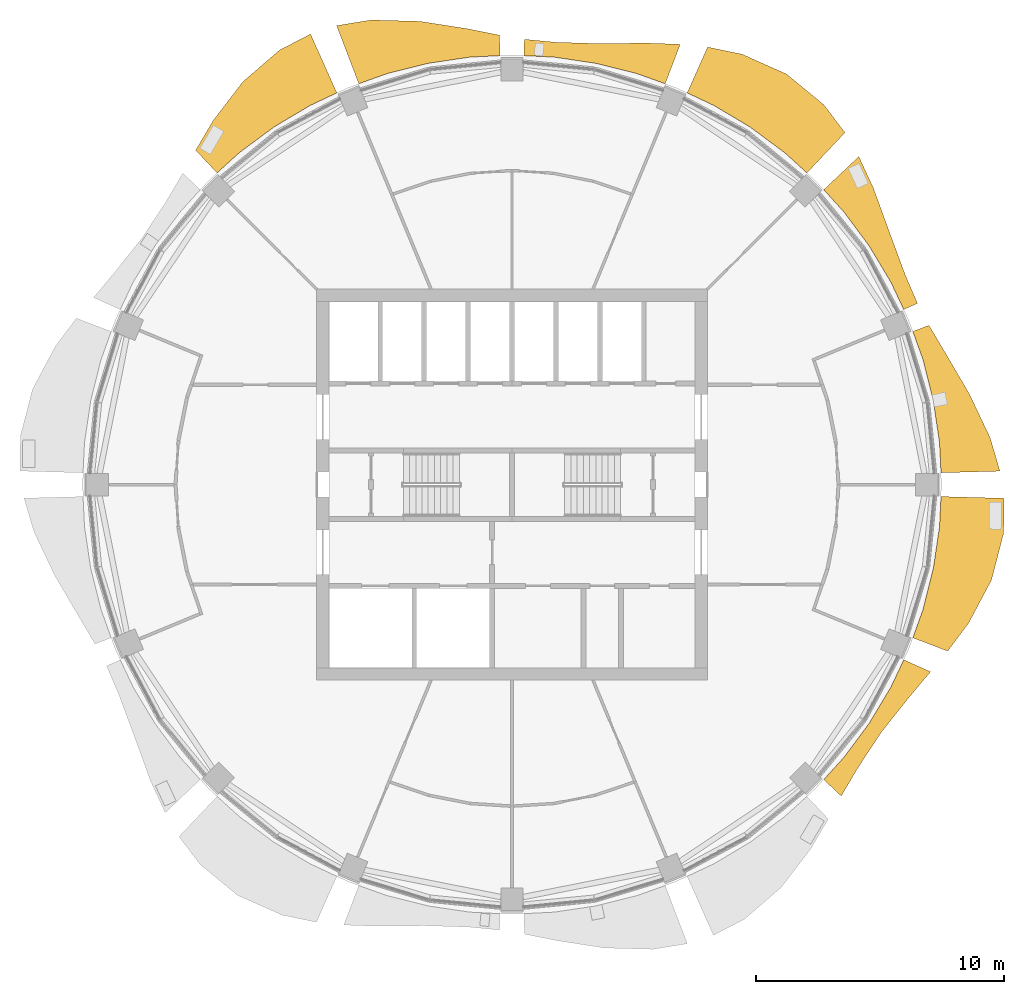
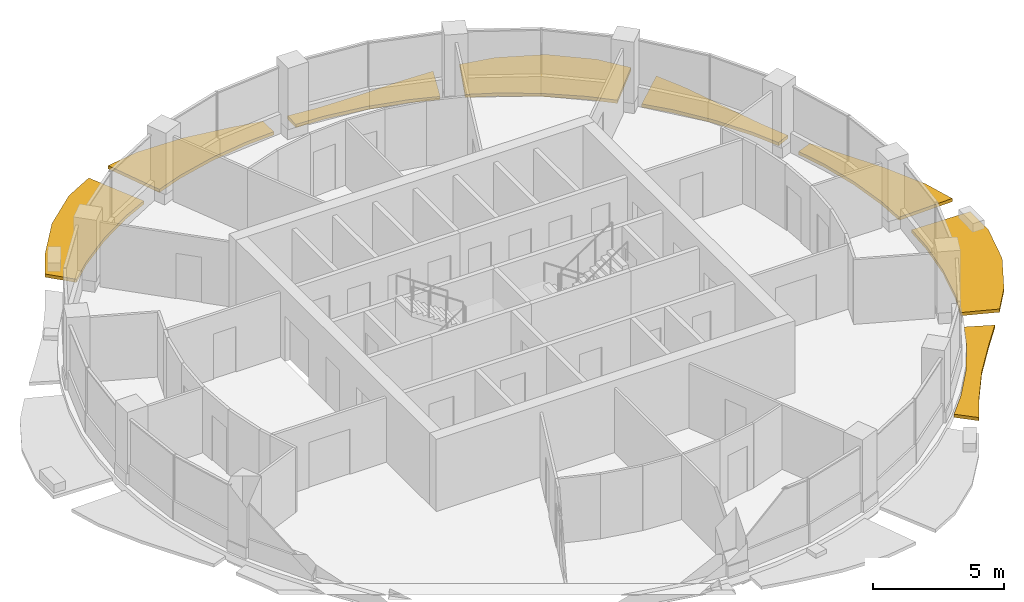
# One storey, part 14 of 15: 8 shading devices.
"""IFC4 building model written with IfcOpenShell, lengths in metres."""

from ifc_helpers import new_model, si_unit, direction, frame, origin, place, context, subcontext, project, spatial, polyline, outline, extrude, material, type_object, element, save


model = new_model("IFC4")

# Units and contexts
model_context = context("Model", 3, precision=1e-05, world=origin(), true_north=direction((0.0, 1.0)))
body_context = subcontext(model_context, "Body", "Model", "MODEL_VIEW")
ifc_project = project(units=[si_unit("LENGTHUNIT", "METRE"), si_unit("AREAUNIT", "SQUARE_METRE"), si_unit("VOLUMEUNIT", "CUBIC_METRE"), si_unit("PLANEANGLEUNIT", "RADIAN"), si_unit("MASSUNIT", "GRAM", prefix="KILO")], contexts=[model_context])

# Site, building, storey
site_placement = place(None, origin())
site = spatial("IfcSite", under=ifc_project, at=site_placement, CompositionType="ELEMENT")
building_placement = place(site_placement, origin())
building = spatial("IfcBuilding", under=site, at=building_placement, Name="Polderwave Tower", CompositionType="ELEMENT")
storey_placement = place(building_placement, frame((0.0, 0.0, 197.699951171875)))
storey = spatial("IfcBuildingStorey", under=building, at=storey_placement, Name="L53", CompositionType="ELEMENT", Elevation=197.699951171875)

# Shading devices
ifc_material = material(Name="Terracotta", Category="masonry")
shading_device_type = type_object("IfcShadingDeviceType", Name="Terracotta sunshade band", PredefinedType="USERDEFINED", material=ifc_material)
shading_device_1_placement = place(storey_placement, frame((0.0, 0.0, -0.349853515625)))
element("IfcShadingDevice", 1, at=shading_device_1_placement, inside=storey, type_object=shading_device_type, Name="Sunshade band L53 1", ObjectType="SUNSHADE", PredefinedType="USERDEFINED", context=body_context, shape_type="SweptSolid", body=[
    extrude(outline(polyline([(17.276611328125, 0.478515625), (17.216796875, 1.69580078125), (16.967529296875, 3.375), (16.55517578125, 5.02197265625), (16.14453125, 6.16943359375), (16.79150390625, 6.416748046875), (17.45947265625, 5.29638671875), (18.41455078125, 3.662841796875), (19.25439453125, 1.896484375), (19.650634765625, 0.544189453125), (17.276611328125, 0.478515625)])), origin(), (0.0, 0.0, 1.0), 0.14990234375),
])
shading_device_2_placement = place(storey_placement, frame((0.0, 0.0, -0.349853515625)))
element("IfcShadingDevice", 2, at=shading_device_2_placement, inside=storey, type_object=shading_device_type, Name="Sunshade band L53 2", ObjectType="SUNSHADE", PredefinedType="USERDEFINED", context=body_context, shape_type="SweptSolid", body=[
    extrude(outline(polyline([(15.7783203125, 7.053466796875), (15.257080078125, 8.1552734375), (14.384521484375, 9.611328125), (13.373046875, 10.97509765625), (12.5546875, 11.8779296875), (13.967041015625, 13.21435546875), (14.5546875, 11.94482421875), (15.204833984375, 10.159423828125), (15.83154296875, 8.462158203125), (16.330810546875, 7.30029296875), (15.7783203125, 7.053466796875)])), origin(), (0.0, 0.0, 1.0), 0.14990234375),
])
shading_device_3_placement = place(storey_placement, frame((0.0, 0.0, -0.349853515625)))
element("IfcShadingDevice", 3, at=shading_device_3_placement, inside=storey, type_object=shading_device_type, Name="Sunshade band L53 3", ObjectType="SUNSHADE", PredefinedType="USERDEFINED", context=body_context, shape_type="SweptSolid", body=[
    extrude(outline(polyline([(11.8779296875, 12.5546875), (10.97509765625, 13.373046875), (9.611328125, 14.384521484375), (8.1552734375, 15.257080078125), (7.053466796875, 15.7783203125), (7.8779296875, 17.622802734375), (9.265625, 17.334716796875), (11.051513671875, 16.539794921875), (12.557373046875, 15.30126953125), (13.411865234375, 14.17578125), (11.8779296875, 12.5546875)])), origin(), (0.0, 0.0, 1.0), 0.14990234375),
])
shading_device_4_placement = place(storey_placement, frame((0.0, 0.0, -0.349853515625)))
element("IfcShadingDevice", 4, at=shading_device_4_placement, inside=storey, type_object=shading_device_type, Name="Sunshade band L53 4", ObjectType="SUNSHADE", PredefinedType="USERDEFINED", context=body_context, shape_type="SweptSolid", body=[
    extrude(outline(polyline([(6.16943359375, 16.14453125), (5.02197265625, 16.55517578125), (3.375, 16.967529296875), (1.69580078125, 17.216796875), (0.478515625, 17.276611328125), (0.49658203125, 17.9375), (1.7548828125, 17.81640625), (3.533203125, 17.76220703125), (5.394775390625, 17.783935546875), (6.776611328125, 17.73388671875), (6.16943359375, 16.14453125)])), origin(), (0.0, 0.0, 1.0), 0.14990234375),
])
shading_device_5_placement = place(storey_placement, frame((0.0, 0.0, -0.349853515625)))
element("IfcShadingDevice", 5, at=shading_device_5_placement, inside=storey, type_object=shading_device_type, Name="Sunshade band L53 5", ObjectType="SUNSHADE", PredefinedType="USERDEFINED", context=body_context, shape_type="SweptSolid", body=[
    extrude(outline(polyline([(-0.478515625, 17.276611328125), (-1.69580078125, 17.216796875), (-3.375, 16.967529296875), (-5.02197265625, 16.55517578125), (-6.16943359375, 16.14453125), (-7.064453125, 18.48681640625), (-5.676513671875, 18.712890625), (-3.71142578125, 18.6591796875), (-1.80859375, 18.363525390625), (-0.501220703125, 18.10107421875), (-0.478515625, 17.276611328125)])), origin(), (0.0, 0.0, 1.0), 0.14990234375),
])
shading_device_6_placement = place(storey_placement, frame((0.0, 0.0, -0.349853515625)))
element("IfcShadingDevice", 6, at=shading_device_6_placement, inside=storey, type_object=shading_device_type, Name="Sunshade band L53 6", ObjectType="SUNSHADE", PredefinedType="USERDEFINED", context=body_context, shape_type="SweptSolid", body=[
    extrude(outline(polyline([(-7.053466796875, 15.7783203125), (-8.1552734375, 15.257080078125), (-9.611328125, 14.384521484375), (-10.97509765625, 13.373046875), (-11.8779296875, 12.5546875), (-12.740966796875, 13.466796875), (-12.03515625, 14.6650390625), (-10.841064453125, 16.224853515625), (-9.356689453125, 17.505126953125), (-8.1123046875, 18.147216796875), (-7.053466796875, 15.7783203125)])), origin(), (0.0, 0.0, 1.0), 0.14990234375),
])
shading_device_7_placement = place(storey_placement, frame((0.0, 0.0, -0.349853515625)))
element("IfcShadingDevice", 7, at=shading_device_7_placement, inside=storey, type_object=shading_device_type, Name="Sunshade band L53 15", ObjectType="SUNSHADE", PredefinedType="USERDEFINED", context=body_context, shape_type="SweptSolid", body=[
    extrude(outline(polyline([(12.5546875, -11.8779296875), (13.373046875, -10.97509765625), (14.384521484375, -9.611328125), (15.257080078125, -8.1552734375), (15.7783203125, -7.053466796875), (16.855224609375, -7.534912109375), (16.001953125, -8.55322265625), (14.889892578125, -9.948974609375), (13.918701171875, -11.422607421875), (13.2578125, -12.54345703125), (12.5546875, -11.8779296875)])), origin(), (0.0, 0.0, 1.0), 0.14990234375),
])
shading_device_8_placement = place(storey_placement, frame((0.0, 0.0, -0.349853515625)))
element("IfcShadingDevice", 8, at=shading_device_8_placement, inside=storey, type_object=shading_device_type, Name="Sunshade band L53 16", ObjectType="SUNSHADE", PredefinedType="USERDEFINED", context=body_context, shape_type="SweptSolid", body=[
    extrude(outline(polyline([(16.14453125, -6.16943359375), (16.55517578125, -5.02197265625), (16.967529296875, -3.375), (17.216796875, -1.69580078125), (17.276611328125, -0.478515625), (19.814208984375, -0.548583984375), (19.801513671875, -1.9501953125), (19.3115234375, -3.84130859375), (18.388427734375, -5.578125), (17.54443359375, -6.704345703125), (16.14453125, -6.16943359375)])), origin(), (0.0, 0.0, 1.0), 0.14990234375),
])

save(model, "model.ifc")
